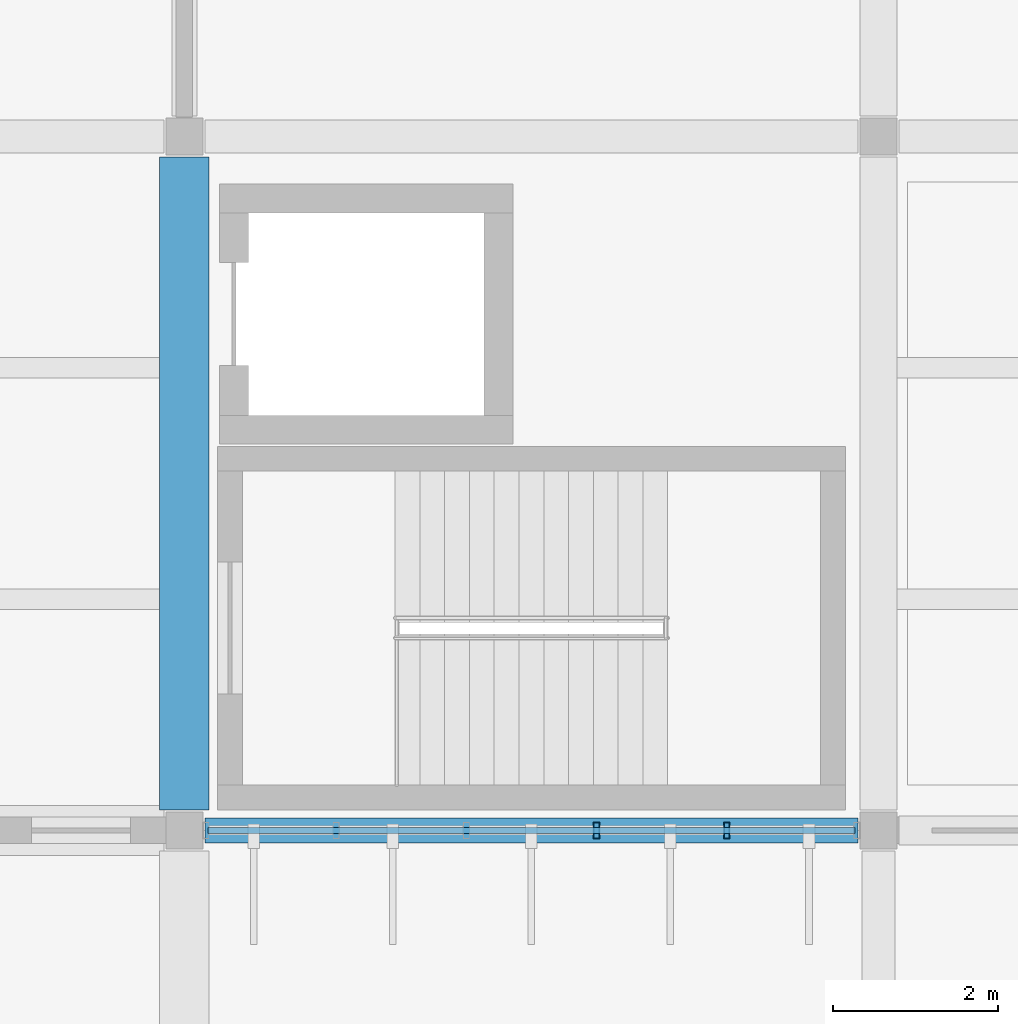
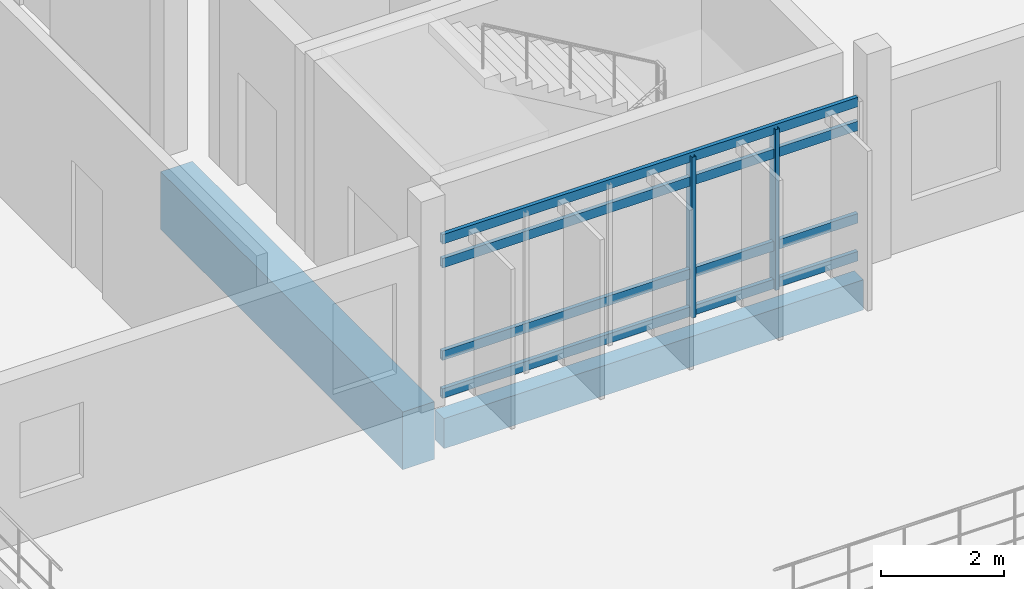
# One storey, part 3 of 62: 6 members, 2 beams, 1 element without a shape of its own.
"""IFC4 building model written with IfcOpenShell, lengths in metres."""

from ifc_helpers import new_model, si_unit, direction, frame, origin, origin_2d, place, context, subcontext, project, spatial, rectangle, hollow_rectangle, extrude, material, layer, layer_set, material_profile, profile_set, type_object, element, aggregate, save


model = new_model("IFC4")

# Units and contexts
model_context = context("Model", 3, precision=1e-05, world=origin(), true_north=direction((0.0, 1.0)))
body_context = subcontext(model_context, "Body", "Model", "MODEL_VIEW")
ifc_project = project(units=[si_unit("LENGTHUNIT", "METRE"), si_unit("AREAUNIT", "SQUARE_METRE"), si_unit("VOLUMEUNIT", "CUBIC_METRE"), si_unit("PLANEANGLEUNIT", "RADIAN"), si_unit("MASSUNIT", "GRAM", prefix="KILO")], contexts=[model_context])

# Site, building, storey
site_placement = place(None, origin())
site = spatial("IfcSite", under=ifc_project, at=site_placement, CompositionType="ELEMENT")
building_placement = place(site_placement, origin())
building = spatial("IfcBuilding", under=site, at=building_placement, Name="Vireocrest Preparatory School", CompositionType="ELEMENT")
storey_placement = place(building_placement, frame((0.0, 0.0, 17.39990234375)))
storey = spatial("IfcBuildingStorey", under=building, at=storey_placement, Name="L04", CompositionType="ELEMENT", Elevation=17.39990234375)

# Curtain wall, members
ifc_material_1 = material(Name="Thermally broken aluminium EN AW-6063-T6", Category="aluminium")
ifc_layer = layer(ifc_material_1, 0.179931640625)
ifc_layer_set = layer_set([ifc_layer], Name="Thermally broken aluminium EN AW-6063-T6")
curtain_wall_type = type_object("IfcCurtainWallType", Name="Stair Core Daylit Strip 4200x4200", PredefinedType="USERDEFINED", material=ifc_layer_set)
curtain_wall_placement = place(storey_placement, origin())
curtain_wall = element("IfcCurtainWall", 1, at=curtain_wall_placement, inside=storey, type_object=curtain_wall_type, Name="Curtain Wall CW18 CW_L04_CW18_0506_0438_174", ObjectType="CURTAIN WALL", PredefinedType="USERDEFINED")
ifc_material_profile_1 = material_profile(ifc_material_1, hollow_rectangle(XDim=0.074951171875, YDim=0.199951171875, WallThickness=0.0048828125, at=origin_2d()), Name="ALU 75x200x5")
ifc_profile_set_1 = profile_set([ifc_material_profile_1], Name="Thermally broken aluminium EN AW-6063-T6")
member_type_1 = type_object("IfcMemberType", Name="CW Mullion 75x200x5", PredefinedType="MULLION", material=ifc_profile_set_1)
member_1_placement = place(storey_placement, frame((55.387939453125, 43.800048828125, 0.0), z_axis=(0.0, 0.0, 1.0), x_axis=(1.0, 0.0, 0.0)))
member_1 = element("IfcMember", 2, at=member_1_placement, type_object=member_type_1, Name="CW Mullion ML3 CW_L04_CW18_0506_0438_174-4", PredefinedType="MULLION", context=body_context, shape_type="SweptSolid", body=[
    extrude(hollow_rectangle(XDim=0.074951171875, YDim=0.199951171875, WallThickness=0.0048828125, at=origin_2d()), origin(), (0.0, 0.0, 1.0), 3.205078125),
])
member_2_placement = place(storey_placement, frame((56.964111328125, 43.800048828125, 0.0), z_axis=(0.0, 0.0, 1.0), x_axis=(1.0, 0.0, 0.0)))
member_2 = element("IfcMember", 3, at=member_2_placement, type_object=member_type_1, Name="CW Mullion ML3 CW_L04_CW18_0506_0438_174-5", PredefinedType="MULLION", context=body_context, shape_type="SweptSolid", body=[
    extrude(hollow_rectangle(XDim=0.074951171875, YDim=0.199951171875, WallThickness=0.0048828125, at=origin_2d()), origin(), (0.0, 0.0, 1.0), 3.205078125),
])
ifc_material_profile_2 = material_profile(ifc_material_1, hollow_rectangle(XDim=0.074951171875, YDim=0.18994140625, WallThickness=0.00390625, at=origin_2d()), Name="ALU 75x190x4")
ifc_profile_set_2 = profile_set([ifc_material_profile_2], Name="Thermally broken aluminium EN AW-6063-T6")
member_type_2 = type_object("IfcMemberType", Name="CW Transom 75x190x4", PredefinedType="USERDEFINED", material=ifc_profile_set_2)
member_3_placement = place(storey_placement, frame((50.68505859375, 43.800048828125, 0.09521484375), z_axis=(1.0, 0.0, 0.0), x_axis=(0.0, 1.0, 0.0)))
member_3 = element("IfcMember", 4, at=member_3_placement, type_object=member_type_2, Name="CW Transom TR3 CW_L04_CW18_0506_0438_174-1", ObjectType="TRANSOM", PredefinedType="USERDEFINED", context=body_context, shape_type="SweptSolid", body=[
    extrude(hollow_rectangle(XDim=0.074951171875, YDim=0.18994140625, WallThickness=0.00390625, at=origin_2d()), origin(), (0.0, 0.0, 1.0), 7.829833984375),
])
member_4_placement = place(storey_placement, frame((50.68505859375, 43.800048828125, 0.85009765625), z_axis=(1.0, 0.0, 0.0), x_axis=(0.0, 1.0, 0.0)))
member_4 = element("IfcMember", 5, at=member_4_placement, type_object=member_type_2, Name="CW Transom TR3 CW_L04_CW18_0506_0438_174-2", ObjectType="TRANSOM", PredefinedType="USERDEFINED", context=body_context, shape_type="SweptSolid", body=[
    extrude(hollow_rectangle(XDim=0.074951171875, YDim=0.18994140625, WallThickness=0.00390625, at=origin_2d()), origin(), (0.0, 0.0, 1.0), 7.829833984375),
])
member_5_placement = place(storey_placement, frame((50.68505859375, 43.800048828125, 2.690185546875), z_axis=(1.0, 0.0, 0.0), x_axis=(0.0, 1.0, 0.0)))
member_5 = element("IfcMember", 6, at=member_5_placement, type_object=member_type_2, Name="CW Transom TR3 CW_L04_CW18_0506_0438_174-3", ObjectType="TRANSOM", PredefinedType="USERDEFINED", context=body_context, shape_type="SweptSolid", body=[
    extrude(hollow_rectangle(XDim=0.074951171875, YDim=0.18994140625, WallThickness=0.00390625, at=origin_2d()), origin(), (0.0, 0.0, 1.0), 7.829833984375),
])
member_6_placement = place(storey_placement, frame((50.68505859375, 43.800048828125, 3.1650390625), z_axis=(1.0, 0.0, 0.0), x_axis=(0.0, 1.0, 0.0)))
member_6 = element("IfcMember", 7, at=member_6_placement, type_object=member_type_2, Name="CW Transom TR3 CW_L04_CW18_0506_0438_174-4", ObjectType="TRANSOM", PredefinedType="USERDEFINED", context=body_context, shape_type="SweptSolid", body=[
    extrude(hollow_rectangle(XDim=0.074951171875, YDim=0.18994140625, WallThickness=0.00390625, at=origin_2d()), origin(), (0.0, 0.0, 1.0), 7.829833984375),
])
aggregate(curtain_wall, [member_1, member_2, member_3, member_4, member_5, member_6])

# Beams
ifc_material_2 = material(Name="Concrete 40 MPa", Category="concrete")
ifc_material_profile_3 = material_profile(ifc_material_2, rectangle(XDim=0.300048828125, YDim=0.60009765625, at=origin_2d()), Name="RC 300x600")
ifc_profile_set_3 = profile_set([ifc_material_profile_3], Name="Concrete 40 MPa")
beam_type_1 = type_object("IfcBeamType", Name="RC Classroom Beam 300x600", PredefinedType="BEAM", material=ifc_profile_set_3)
beam_1_placement = place(storey_placement, frame((50.64990234375, 43.800048828125, -0.619873046875), z_axis=(1.0, 0.0, 0.0), x_axis=(0.0, 1.0, 0.0)))
element("IfcBeam", 8, at=beam_1_placement, inside=storey, type_object=beam_type_1, Name="Primary Girder B03 L04-1297", PredefinedType="BEAM", context=body_context, shape_type="SweptSolid", body=[
    extrude(rectangle(XDim=0.300048828125, YDim=0.60009765625, at=origin_2d()), origin(), (0.0, 0.0, 1.0), 7.900146484375),
])
ifc_material_profile_4 = material_profile(ifc_material_2, rectangle(XDim=0.60009765625, YDim=1.14990234375, at=origin_2d()), Name="RC 600x1150")
ifc_profile_set_4 = profile_set([ifc_material_profile_4], Name="Concrete 40 MPa")
beam_type_2 = type_object("IfcBeamType", Name="RC Heavy Transfer Girder 600x1150", PredefinedType="BEAM", material=ifc_profile_set_4)
beam_2_placement = place(storey_placement, frame((50.39990234375, 44.050048828125, -0.81494140625), z_axis=(0.0, 1.0, 0.0), x_axis=(-1.0, 0.0, 0.0)))
element("IfcBeam", 9, at=beam_2_placement, inside=storey, type_object=beam_type_2, Name="Primary Girder B20 L04-1363", PredefinedType="BEAM", context=body_context, shape_type="SweptSolid", body=[
    extrude(rectangle(XDim=0.60009765625, YDim=1.14990234375, at=origin_2d()), origin(), (0.0, 0.0, 1.0), 7.89990234375),
])

save(model, "model.ifc")
